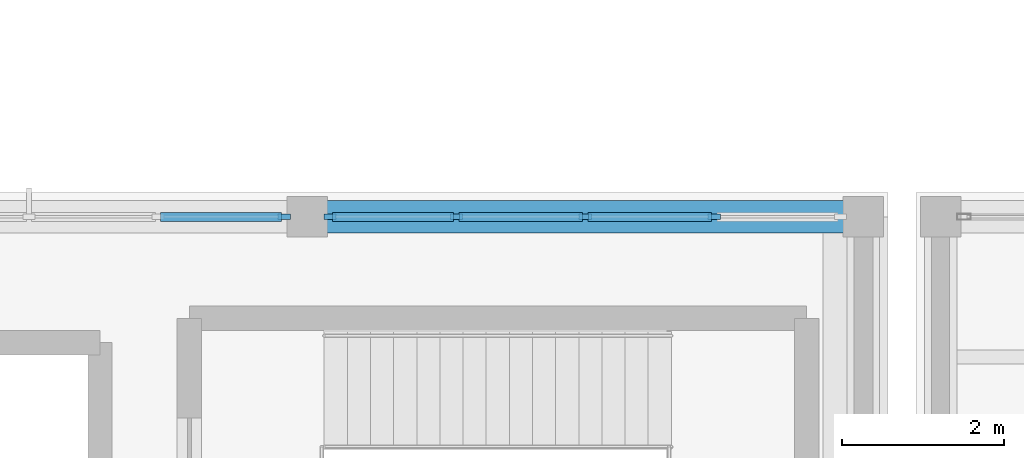
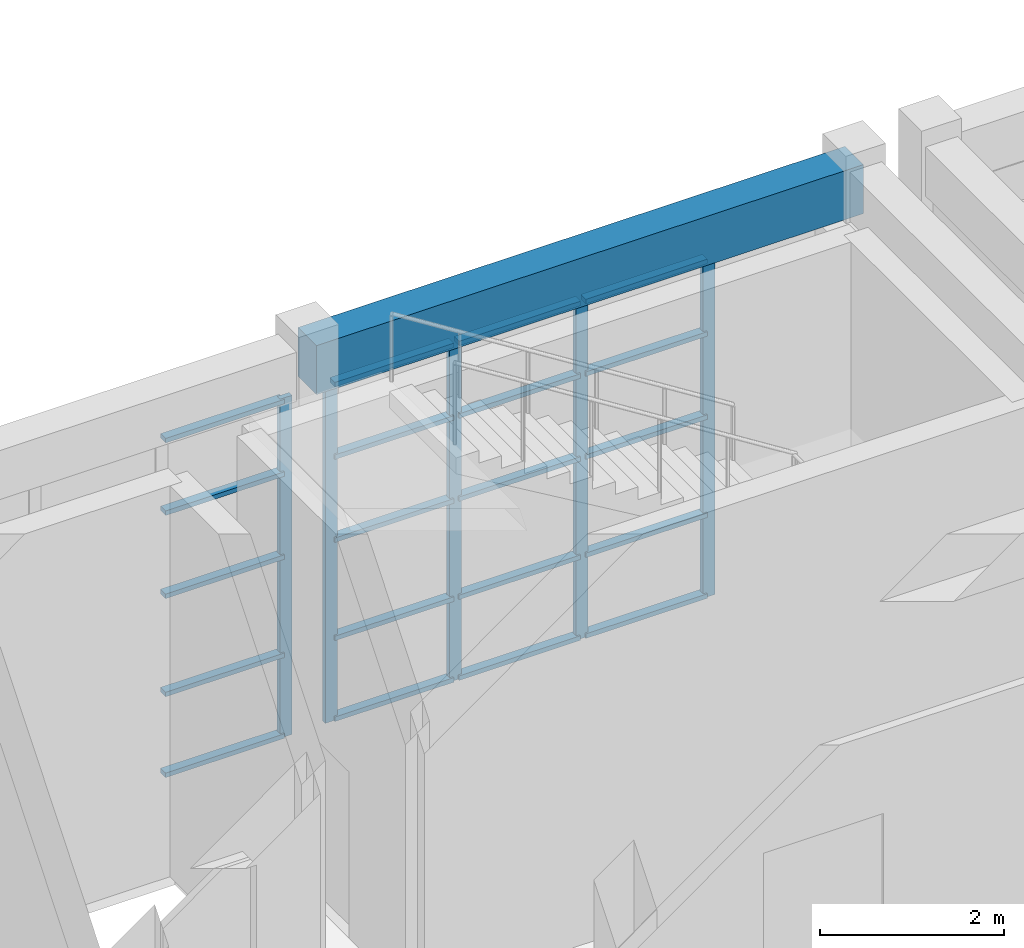
# One storey, part 20 of 103: 25 members, 1 beam, 2 elements without a shape of their own.
"""IFC4 building model written with IfcOpenShell, lengths in metres."""

from ifc_helpers import new_model, si_unit, direction, frame, origin, origin_2d, place, context, subcontext, project, spatial, rectangle, extrude, material, layer, layer_set, material_profile, profile_set, type_object, element, aggregate, save


model = new_model("IFC4")

# Units and contexts
model_context = context("Model", 3, precision=1e-05, world=origin(), true_north=direction((0.0, 1.0)))
body_context = subcontext(model_context, "Body", "Model", "MODEL_VIEW")
ifc_project = project(units=[si_unit("LENGTHUNIT", "METRE"), si_unit("AREAUNIT", "SQUARE_METRE"), si_unit("VOLUMEUNIT", "CUBIC_METRE"), si_unit("PLANEANGLEUNIT", "RADIAN"), si_unit("MASSUNIT", "GRAM", prefix="KILO")], contexts=[model_context])

# Site, building, storey
site_placement = place(None, origin())
site = spatial("IfcSite", under=ifc_project, at=site_placement, CompositionType="ELEMENT")
building_placement = place(site_placement, origin())
building = spatial("IfcBuilding", under=site, at=building_placement, Name="Candilejo Ridge Gondola Terminal", CompositionType="ELEMENT")
storey_placement = place(building_placement, frame((0.0, 0.0, 9.0)))
storey = spatial("IfcBuildingStorey", under=building, at=storey_placement, Name="L02", CompositionType="ELEMENT", Elevation=9.0)

# Curtain wall, member
ifc_material_1 = material(Name="Anodised aluminium AA 6063-T6", Category="aluminium")
ifc_layer = layer(ifc_material_1, 0.169921875)
ifc_layer_set = layer_set([ifc_layer], Name="ARC-CW-DRUM-3400-635X449")
curtain_wall_type = type_object("IfcCurtainWallType", Name="ARC-CW-DRUM-3400-635X449", PredefinedType="NOTDEFINED", material=ifc_layer_set)
curtain_wall_1_placement = place(storey_placement, origin())
curtain_wall_1 = element("IfcCurtainWall", 1, at=curtain_wall_1_placement, inside=storey, type_object=curtain_wall_type, Name="Curtain wall V2 L02-054", PredefinedType="NOTDEFINED")
ifc_material_2 = material(Name="Anodised aluminium AA 6063-T6", Category="aluminium")
ifc_material_profile_1 = material_profile(ifc_material_2, rectangle(XDim=0.06494140625, YDim=0.14990234375, at=origin_2d()))
ifc_profile_set_1 = profile_set([ifc_material_profile_1], Name="Anodised aluminium AA 6063-T6")
member_type_1 = type_object("IfcMemberType", Name="ARC-CW-MULLION-150", PredefinedType="MULLION", material=ifc_profile_set_1)
member_1_placement = place(storey_placement, frame((78.91748046875, 36.699951171875, 0.0), z_axis=(0.0, 0.0, 1.0), x_axis=(0.0, 1.0, 0.0)))
member_1 = element("IfcMember", 2, at=member_1_placement, type_object=member_type_1, Name="CW-63X44 mullion 5", PredefinedType="MULLION", context=body_context, shape_type="SweptSolid", body=[
    extrude(rectangle(XDim=0.06494140625, YDim=0.14990234375, at=origin_2d()), origin(), (0.0, 0.0, 1.0), 4.489990234375),
])

# Curtain wall, members
curtain_wall_2_placement = place(storey_placement, origin())
curtain_wall_2 = element("IfcCurtainWall", 3, at=curtain_wall_2_placement, inside=storey, type_object=curtain_wall_type, Name="Curtain wall V2 L02-056", PredefinedType="NOTDEFINED")
member_2_placement = place(storey_placement, frame((79.482421875, 36.699951171875, 0.0), z_axis=(0.0, 0.0, 1.0), x_axis=(0.0, 1.0, 0.0)))
member_2 = element("IfcMember", 4, at=member_2_placement, type_object=member_type_1, Name="CW-63X44 mullion 1", PredefinedType="MULLION", context=body_context, shape_type="SweptSolid", body=[
    extrude(rectangle(XDim=0.06494140625, YDim=0.14990234375, at=origin_2d()), origin(), (0.0, 0.0, 1.0), 4.489990234375),
])
member_3_placement = place(storey_placement, frame((81.03759765625, 36.699951171875, 0.0), z_axis=(0.0, 0.0, 1.0), x_axis=(0.0, 1.0, 0.0)))
member_3 = element("IfcMember", 5, at=member_3_placement, type_object=member_type_1, Name="CW-63X44 mullion 2", PredefinedType="MULLION", context=body_context, shape_type="SweptSolid", body=[
    extrude(rectangle(XDim=0.06494140625, YDim=0.14990234375, at=origin_2d()), origin(), (0.0, 0.0, 1.0), 4.489990234375),
])
member_4_placement = place(storey_placement, frame((82.625, 36.699951171875, 0.0), z_axis=(0.0, 0.0, 1.0), x_axis=(0.0, 1.0, 0.0)))
member_4 = element("IfcMember", 6, at=member_4_placement, type_object=member_type_1, Name="CW-63X44 mullion 3", PredefinedType="MULLION", context=body_context, shape_type="SweptSolid", body=[
    extrude(rectangle(XDim=0.06494140625, YDim=0.14990234375, at=origin_2d()), origin(), (0.0, 0.0, 1.0), 4.489990234375),
])
member_5_placement = place(storey_placement, frame((84.21240234375, 36.699951171875, 0.0), z_axis=(0.0, 0.0, 1.0), x_axis=(0.0, 1.0, 0.0)))
member_5 = element("IfcMember", 7, at=member_5_placement, type_object=member_type_1, Name="CW-63X44 mullion 4", PredefinedType="MULLION", context=body_context, shape_type="SweptSolid", body=[
    extrude(rectangle(XDim=0.06494140625, YDim=0.14990234375, at=origin_2d()), origin(), (0.0, 0.0, 1.0), 4.489990234375),
])

# Member
ifc_material_3 = material(Name="Anodised aluminium AA 6063-T6", Category="aluminium")
ifc_material_profile_2 = material_profile(ifc_material_3, rectangle(XDim=0.110107421875, YDim=0.06005859375, at=origin_2d()))
ifc_profile_set_2 = profile_set([ifc_material_profile_2], Name="Anodised aluminium AA 6063-T6")
member_type_2 = type_object("IfcMemberType", Name="ARC-CW-TRANSOM-110", PredefinedType="USERDEFINED", material=ifc_profile_set_2)
member_6_placement = place(storey_placement, frame((77.39501953125, 36.699951171875, 0.030029296875), z_axis=(1.0, 0.0, 0.0), x_axis=(0.0, 1.0, 0.0)))
member_6 = element("IfcMember", 8, at=member_6_placement, type_object=member_type_2, Name="CW-63X44 transom 4.1", ObjectType="TRANSOM", PredefinedType="USERDEFINED", context=body_context, shape_type="SweptSolid", body=[
    extrude(rectangle(XDim=0.110107421875, YDim=0.06005859375, at=origin_2d()), origin(), (0.0, 0.0, 1.0), 1.489990234375),
])

member_7_placement = place(storey_placement, frame((77.39501953125, 36.699951171875, 1.10009765625), z_axis=(1.0, 0.0, 0.0), x_axis=(0.0, 1.0, 0.0)))
member_7 = element("IfcMember", 9, at=member_7_placement, type_object=member_type_2, Name="CW-63X44 transom 4.2", ObjectType="TRANSOM", PredefinedType="USERDEFINED", context=body_context, shape_type="SweptSolid", body=[
    extrude(rectangle(XDim=0.110107421875, YDim=0.06005859375, at=origin_2d()), origin(), (0.0, 0.0, 1.0), 1.489990234375),
])

member_8_placement = place(storey_placement, frame((77.39501953125, 36.699951171875, 2.39990234375), z_axis=(1.0, 0.0, 0.0), x_axis=(0.0, 1.0, 0.0)))
member_8 = element("IfcMember", 10, at=member_8_placement, type_object=member_type_2, Name="CW-63X44 transom 4.3", ObjectType="TRANSOM", PredefinedType="USERDEFINED", context=body_context, shape_type="SweptSolid", body=[
    extrude(rectangle(XDim=0.110107421875, YDim=0.06005859375, at=origin_2d()), origin(), (0.0, 0.0, 1.0), 1.489990234375),
])

member_9_placement = place(storey_placement, frame((77.39501953125, 36.699951171875, 3.5), z_axis=(1.0, 0.0, 0.0), x_axis=(0.0, 1.0, 0.0)))
member_9 = element("IfcMember", 11, at=member_9_placement, type_object=member_type_2, Name="CW-63X44 transom 4.4", ObjectType="TRANSOM", PredefinedType="USERDEFINED", context=body_context, shape_type="SweptSolid", body=[
    extrude(rectangle(XDim=0.110107421875, YDim=0.06005859375, at=origin_2d()), origin(), (0.0, 0.0, 1.0), 1.489990234375),
])

member_10_placement = place(storey_placement, frame((77.39501953125, 36.699951171875, 4.4599609375), z_axis=(1.0, 0.0, 0.0), x_axis=(0.0, 1.0, 0.0)))
member_10 = element("IfcMember", 12, at=member_10_placement, type_object=member_type_2, Name="CW-63X44 transom 4.5", ObjectType="TRANSOM", PredefinedType="USERDEFINED", context=body_context, shape_type="SweptSolid", body=[
    extrude(rectangle(XDim=0.110107421875, YDim=0.06005859375, at=origin_2d()), origin(), (0.0, 0.0, 1.0), 1.489990234375),
])

aggregate(curtain_wall_1, [member_1, member_6, member_7, member_8, member_9, member_10])

member_11_placement = place(storey_placement, frame((79.514892578125, 36.699951171875, 0.030029296875), z_axis=(1.0, 0.0, 0.0), x_axis=(0.0, 1.0, 0.0)))
member_11 = element("IfcMember", 13, at=member_11_placement, type_object=member_type_2, Name="CW-63X44 transom 1.1", ObjectType="TRANSOM", PredefinedType="USERDEFINED", context=body_context, shape_type="SweptSolid", body=[
    extrude(rectangle(XDim=0.110107421875, YDim=0.06005859375, at=origin_2d()), origin(), (0.0, 0.0, 1.0), 1.489990234375),
])

member_12_placement = place(storey_placement, frame((79.514892578125, 36.699951171875, 1.10009765625), z_axis=(1.0, 0.0, 0.0), x_axis=(0.0, 1.0, 0.0)))
member_12 = element("IfcMember", 14, at=member_12_placement, type_object=member_type_2, Name="CW-63X44 transom 1.2", ObjectType="TRANSOM", PredefinedType="USERDEFINED", context=body_context, shape_type="SweptSolid", body=[
    extrude(rectangle(XDim=0.110107421875, YDim=0.06005859375, at=origin_2d()), origin(), (0.0, 0.0, 1.0), 1.489990234375),
])

member_13_placement = place(storey_placement, frame((79.514892578125, 36.699951171875, 2.39990234375), z_axis=(1.0, 0.0, 0.0), x_axis=(0.0, 1.0, 0.0)))
member_13 = element("IfcMember", 15, at=member_13_placement, type_object=member_type_2, Name="CW-63X44 transom 1.3", ObjectType="TRANSOM", PredefinedType="USERDEFINED", context=body_context, shape_type="SweptSolid", body=[
    extrude(rectangle(XDim=0.110107421875, YDim=0.06005859375, at=origin_2d()), origin(), (0.0, 0.0, 1.0), 1.489990234375),
])

member_14_placement = place(storey_placement, frame((79.514892578125, 36.699951171875, 3.5), z_axis=(1.0, 0.0, 0.0), x_axis=(0.0, 1.0, 0.0)))
member_14 = element("IfcMember", 16, at=member_14_placement, type_object=member_type_2, Name="CW-63X44 transom 1.4", ObjectType="TRANSOM", PredefinedType="USERDEFINED", context=body_context, shape_type="SweptSolid", body=[
    extrude(rectangle(XDim=0.110107421875, YDim=0.06005859375, at=origin_2d()), origin(), (0.0, 0.0, 1.0), 1.489990234375),
])

member_15_placement = place(storey_placement, frame((79.514892578125, 36.699951171875, 4.4599609375), z_axis=(1.0, 0.0, 0.0), x_axis=(0.0, 1.0, 0.0)))
member_15 = element("IfcMember", 17, at=member_15_placement, type_object=member_type_2, Name="CW-63X44 transom 1.5", ObjectType="TRANSOM", PredefinedType="USERDEFINED", context=body_context, shape_type="SweptSolid", body=[
    extrude(rectangle(XDim=0.110107421875, YDim=0.06005859375, at=origin_2d()), origin(), (0.0, 0.0, 1.0), 1.489990234375),
])

member_16_placement = place(storey_placement, frame((81.070068359375, 36.699951171875, 0.030029296875), z_axis=(1.0, 0.0, 0.0), x_axis=(0.0, 1.0, 0.0)))
member_16 = element("IfcMember", 18, at=member_16_placement, type_object=member_type_2, Name="CW-63X44 transom 2.1", ObjectType="TRANSOM", PredefinedType="USERDEFINED", context=body_context, shape_type="SweptSolid", body=[
    extrude(rectangle(XDim=0.110107421875, YDim=0.06005859375, at=origin_2d()), origin(), (0.0, 0.0, 1.0), 1.5224609375),
])

member_17_placement = place(storey_placement, frame((81.070068359375, 36.699951171875, 1.10009765625), z_axis=(1.0, 0.0, 0.0), x_axis=(0.0, 1.0, 0.0)))
member_17 = element("IfcMember", 19, at=member_17_placement, type_object=member_type_2, Name="CW-63X44 transom 2.2", ObjectType="TRANSOM", PredefinedType="USERDEFINED", context=body_context, shape_type="SweptSolid", body=[
    extrude(rectangle(XDim=0.110107421875, YDim=0.06005859375, at=origin_2d()), origin(), (0.0, 0.0, 1.0), 1.5224609375),
])

member_18_placement = place(storey_placement, frame((81.070068359375, 36.699951171875, 2.39990234375), z_axis=(1.0, 0.0, 0.0), x_axis=(0.0, 1.0, 0.0)))
member_18 = element("IfcMember", 20, at=member_18_placement, type_object=member_type_2, Name="CW-63X44 transom 2.3", ObjectType="TRANSOM", PredefinedType="USERDEFINED", context=body_context, shape_type="SweptSolid", body=[
    extrude(rectangle(XDim=0.110107421875, YDim=0.06005859375, at=origin_2d()), origin(), (0.0, 0.0, 1.0), 1.5224609375),
])

member_19_placement = place(storey_placement, frame((81.070068359375, 36.699951171875, 3.5), z_axis=(1.0, 0.0, 0.0), x_axis=(0.0, 1.0, 0.0)))
member_19 = element("IfcMember", 21, at=member_19_placement, type_object=member_type_2, Name="CW-63X44 transom 2.4", ObjectType="TRANSOM", PredefinedType="USERDEFINED", context=body_context, shape_type="SweptSolid", body=[
    extrude(rectangle(XDim=0.110107421875, YDim=0.06005859375, at=origin_2d()), origin(), (0.0, 0.0, 1.0), 1.5224609375),
])

member_20_placement = place(storey_placement, frame((81.070068359375, 36.699951171875, 4.4599609375), z_axis=(1.0, 0.0, 0.0), x_axis=(0.0, 1.0, 0.0)))
member_20 = element("IfcMember", 22, at=member_20_placement, type_object=member_type_2, Name="CW-63X44 transom 2.5", ObjectType="TRANSOM", PredefinedType="USERDEFINED", context=body_context, shape_type="SweptSolid", body=[
    extrude(rectangle(XDim=0.110107421875, YDim=0.06005859375, at=origin_2d()), origin(), (0.0, 0.0, 1.0), 1.5224609375),
])

member_21_placement = place(storey_placement, frame((82.657470703125, 36.699951171875, 0.030029296875), z_axis=(1.0, 0.0, 0.0), x_axis=(0.0, 1.0, 0.0)))
member_21 = element("IfcMember", 23, at=member_21_placement, type_object=member_type_2, Name="CW-63X44 transom 3.1", ObjectType="TRANSOM", PredefinedType="USERDEFINED", context=body_context, shape_type="SweptSolid", body=[
    extrude(rectangle(XDim=0.110107421875, YDim=0.06005859375, at=origin_2d()), origin(), (0.0, 0.0, 1.0), 1.5224609375),
])

member_22_placement = place(storey_placement, frame((82.657470703125, 36.699951171875, 1.10009765625), z_axis=(1.0, 0.0, 0.0), x_axis=(0.0, 1.0, 0.0)))
member_22 = element("IfcMember", 24, at=member_22_placement, type_object=member_type_2, Name="CW-63X44 transom 3.2", ObjectType="TRANSOM", PredefinedType="USERDEFINED", context=body_context, shape_type="SweptSolid", body=[
    extrude(rectangle(XDim=0.110107421875, YDim=0.06005859375, at=origin_2d()), origin(), (0.0, 0.0, 1.0), 1.5224609375),
])

member_23_placement = place(storey_placement, frame((82.657470703125, 36.699951171875, 2.39990234375), z_axis=(1.0, 0.0, 0.0), x_axis=(0.0, 1.0, 0.0)))
member_23 = element("IfcMember", 25, at=member_23_placement, type_object=member_type_2, Name="CW-63X44 transom 3.3", ObjectType="TRANSOM", PredefinedType="USERDEFINED", context=body_context, shape_type="SweptSolid", body=[
    extrude(rectangle(XDim=0.110107421875, YDim=0.06005859375, at=origin_2d()), origin(), (0.0, 0.0, 1.0), 1.5224609375),
])

member_24_placement = place(storey_placement, frame((82.657470703125, 36.699951171875, 3.5), z_axis=(1.0, 0.0, 0.0), x_axis=(0.0, 1.0, 0.0)))
member_24 = element("IfcMember", 26, at=member_24_placement, type_object=member_type_2, Name="CW-63X44 transom 3.4", ObjectType="TRANSOM", PredefinedType="USERDEFINED", context=body_context, shape_type="SweptSolid", body=[
    extrude(rectangle(XDim=0.110107421875, YDim=0.06005859375, at=origin_2d()), origin(), (0.0, 0.0, 1.0), 1.5224609375),
])

member_25_placement = place(storey_placement, frame((82.657470703125, 36.699951171875, 4.4599609375), z_axis=(1.0, 0.0, 0.0), x_axis=(0.0, 1.0, 0.0)))
member_25 = element("IfcMember", 27, at=member_25_placement, type_object=member_type_2, Name="CW-63X44 transom 3.5", ObjectType="TRANSOM", PredefinedType="USERDEFINED", context=body_context, shape_type="SweptSolid", body=[
    extrude(rectangle(XDim=0.110107421875, YDim=0.06005859375, at=origin_2d()), origin(), (0.0, 0.0, 1.0), 1.5224609375),
])

aggregate(curtain_wall_2, [member_2, member_3, member_4, member_5, member_11, member_12, member_13, member_14, member_15, member_16, member_17, member_18, member_19, member_20, member_21, member_22, member_23, member_24, member_25])

# Beam
ifc_material_4 = material(Name="Concrete f'c 35 MPa (C35/45)", Category="concrete")
ifc_material_profile_3 = material_profile(ifc_material_4, rectangle(XDim=0.39990234375, YDim=0.64990234375, at=origin_2d()))
ifc_profile_set_3 = profile_set([ifc_material_profile_3], Name="Concrete f'c 35 MPa (C35/45)")
beam_type = type_object("IfcBeamType", Name="STR-SPN-RC400X650", PredefinedType="SPANDREL", material=ifc_profile_set_3)
beam_placement = place(storey_placement, frame((79.199951171875, 36.699951171875, 4.85009765625), z_axis=(1.0, 0.0, 0.0), x_axis=(0.0, 1.0, 0.0)))
element("IfcBeam", 28, at=beam_placement, inside=storey, type_object=beam_type, Name="Beam X V2 L02 X12-X13@Y07", PredefinedType="SPANDREL", context=body_context, shape_type="SweptSolid", body=[
    extrude(rectangle(XDim=0.39990234375, YDim=0.64990234375, at=origin_2d()), origin(), (0.0, 0.0, 1.0), 6.85009765625),
])

save(model, "model.ifc")
